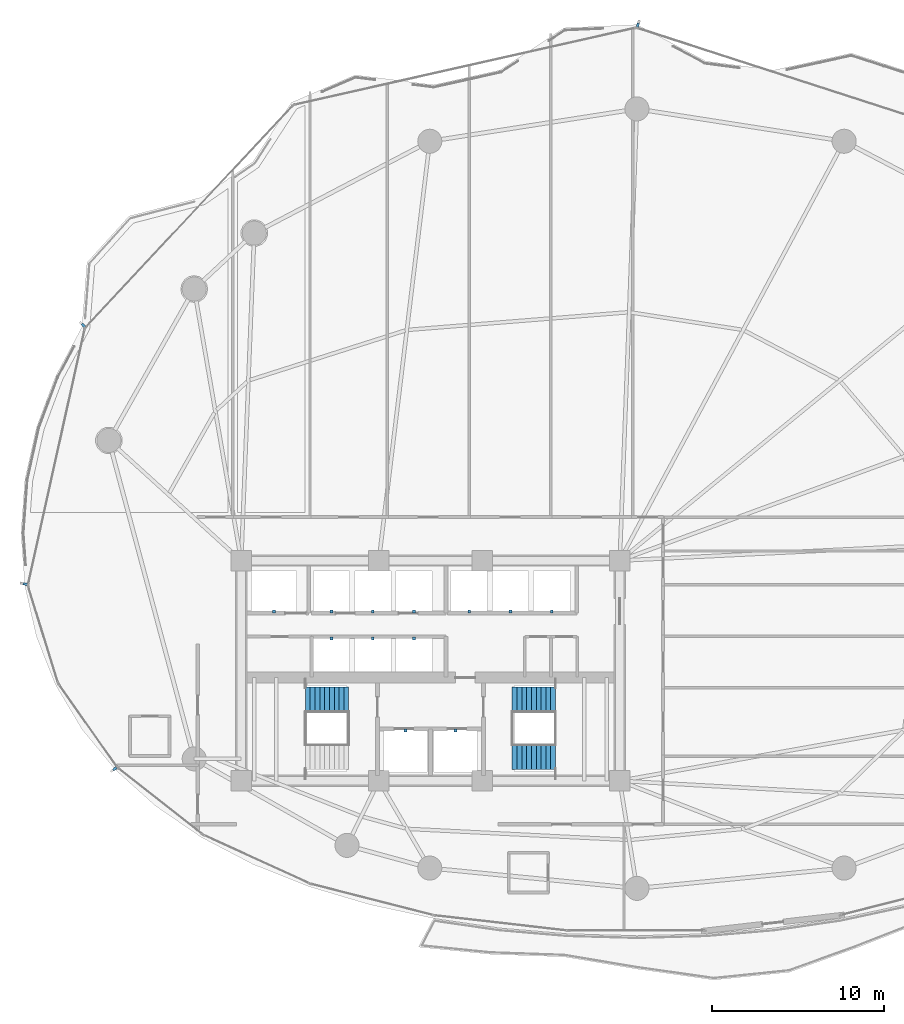
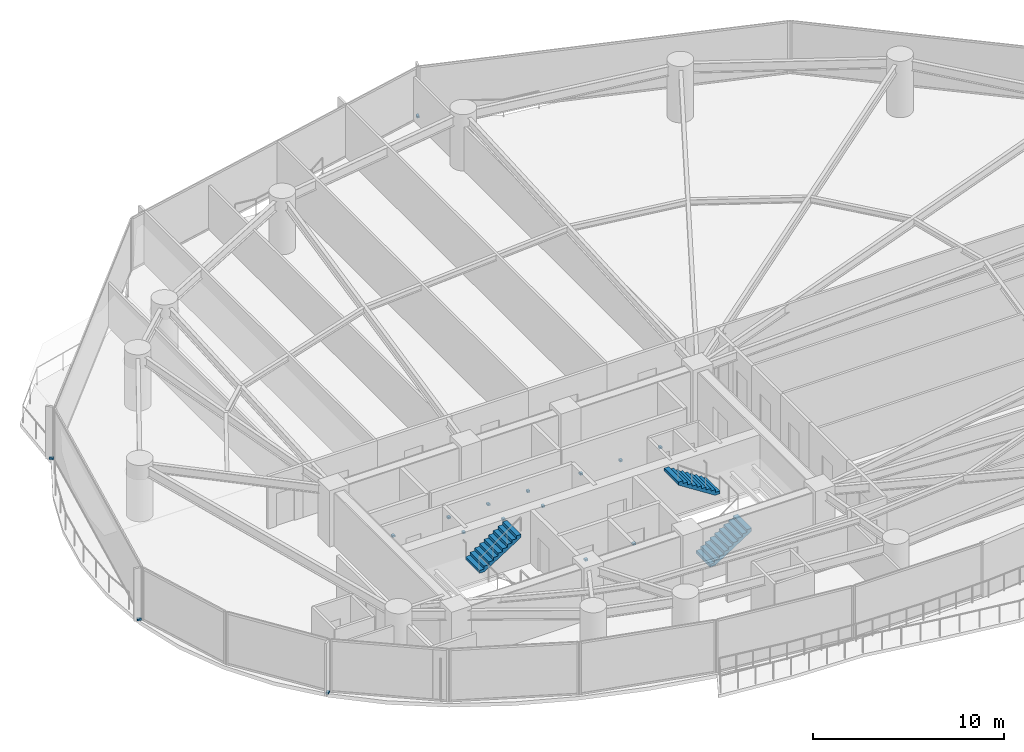
# One storey, part 28 of 33: 16 discrete accessories, 3 stair flights, 2 elements without a shape of their own.
"""IFC4 building model written with IfcOpenShell, lengths in metres."""

from ifc_helpers import new_model, si_unit, direction, frame, origin, origin_2d, place, context, subcontext, project, spatial, polyline, rectangle, outline, extrude, material, layer, layer_set, type_object, element, aggregate, save


model = new_model("IFC4")

# Units and contexts
model_context = context("Model", 3, precision=1e-05, world=origin(), true_north=direction((0.0, 1.0)))
body_context = subcontext(model_context, "Body", "Model", "MODEL_VIEW")
ifc_project = project(units=[si_unit("LENGTHUNIT", "METRE"), si_unit("AREAUNIT", "SQUARE_METRE"), si_unit("VOLUMEUNIT", "CUBIC_METRE"), si_unit("PLANEANGLEUNIT", "RADIAN"), si_unit("MASSUNIT", "GRAM", prefix="KILO")], contexts=[model_context])

# Site, building, storey
site_placement = place(None, origin())
site = spatial("IfcSite", under=ifc_project, at=site_placement, CompositionType="ELEMENT")
building_placement = place(site_placement, origin())
building = spatial("IfcBuilding", under=site, at=building_placement, Name="Kazevale Care Tower and Concert Hall", CompositionType="ELEMENT")
storey_placement = place(building_placement, frame((0.0, 0.0, 49.199951171875)))
storey = spatial("IfcBuildingStorey", under=building, at=storey_placement, Name="L12", CompositionType="ELEMENT", Elevation=49.199951171875)

# Stair, stair flight
ifc_material_1 = material(Name="Concrete C40", Category="concrete")
stair_type = type_object("IfcStairType", Name="Exit Stair Assembly ST1-Z1", PredefinedType="HALF_TURN_STAIR", material=ifc_material_1)
stair_1_placement = place(storey_placement, origin())
stair_1 = element("IfcStair", 1, at=stair_1_placement, inside=storey, type_object=stair_type, Name="stair:L12:ST1", PredefinedType="HALF_TURN_STAIR")
ifc_layer = layer(ifc_material_1, 0.159912109375)
ifc_layer_set = layer_set([ifc_layer], Name="Concrete C40")
stair_flight_type = type_object("IfcStairFlightType", Name="Exit Stair Flight ST1-Z1", PredefinedType="STRAIGHT", material=ifc_layer_set)
stair_flight_1_placement = place(storey_placement, frame((25.72998046875, 28.31005859375, 1.800048828125), z_axis=(0.0, 0.0, 1.0), x_axis=(1.0, 0.0, 0.0)))
stair_flight_1 = element("IfcStairFlight", 2, at=stair_flight_1_placement, type_object=stair_flight_type, Name="ST1-Z1 flight 2", NumberOfRisers=10, NumberOfTreads=9, PredefinedType="STRAIGHT", RiserHeight=0.18, TreadLength=0.28, context=body_context, shape_type="SweptSolid", body=[
    extrude(outline(polyline([(0.0, 0.0), (0.0, 0.179931640625), (0.280029296875, 0.179931640625), (0.280029296875, 0.360107421875), (0.56005859375, 0.360107421875), (0.56005859375, 0.5400390625), (0.840087890625, 0.5400390625), (0.840087890625, 0.719970703125), (1.1201171875, 0.719970703125), (1.1201171875, 0.89990234375), (1.39990234375, 0.89990234375), (1.39990234375, 1.080078125), (1.679931640625, 1.080078125), (1.679931640625, 1.260009765625), (1.9599609375, 1.260009765625), (1.9599609375, 1.43994140625), (2.239990234375, 1.43994140625), (2.239990234375, 1.6201171875), (2.52001953125, 1.6201171875), (2.52001953125, 1.800048828125), (2.52001953125, 1.429931640625), (0.295654296875, 0.0), (0.0, 0.0)])), frame((0.0, 0.739990234375, 0.0), z_axis=(0.0, -1.0, 0.0), x_axis=(1.0, 0.0, 0.0)), (0.0, 0.0, 1.0), 1.47998046875),
])
aggregate(stair_1, [stair_flight_1])

# Stair, stair flights
stair_2_placement = place(storey_placement, origin())
stair_2 = element("IfcStair", 3, at=stair_2_placement, inside=storey, type_object=stair_type, Name="stair:L12:ST2", PredefinedType="HALF_TURN_STAIR")
stair_flight_2_placement = place(storey_placement, frame((37.75, 24.989990234375, 0.0), z_axis=(0.0, 0.0, 1.0), x_axis=(1.0, 0.0, 0.0)))
stair_flight_2 = element("IfcStairFlight", 4, at=stair_flight_2_placement, type_object=stair_flight_type, Name="ST1-Z1 flight 1", NumberOfRisers=10, NumberOfTreads=9, PredefinedType="STRAIGHT", RiserHeight=0.18, TreadLength=0.28, context=body_context, shape_type="SweptSolid", body=[
    extrude(outline(polyline([(0.0, 0.0), (0.0, 0.179931640625), (0.280029296875, 0.179931640625), (0.280029296875, 0.360107421875), (0.56005859375, 0.360107421875), (0.56005859375, 0.5400390625), (0.840087890625, 0.5400390625), (0.840087890625, 0.719970703125), (1.1201171875, 0.719970703125), (1.1201171875, 0.89990234375), (1.39990234375, 0.89990234375), (1.39990234375, 1.080078125), (1.679931640625, 1.080078125), (1.679931640625, 1.260009765625), (1.9599609375, 1.260009765625), (1.9599609375, 1.43994140625), (2.239990234375, 1.43994140625), (2.239990234375, 1.6201171875), (2.52001953125, 1.6201171875), (2.52001953125, 1.800048828125), (2.52001953125, 1.429931640625), (0.295654296875, 0.0), (0.0, 0.0)])), frame((0.0, 0.739990234375, 0.0), z_axis=(0.0, -1.0, 0.0), x_axis=(1.0, 0.0, 0.0)), (0.0, 0.0, 1.0), 1.47998046875),
])
stair_flight_3_placement = place(storey_placement, frame((40.27001953125, 28.31005859375, 1.800048828125), z_axis=(0.0, 0.0, 1.0), x_axis=(-1.0, 0.0, 0.0)))
stair_flight_3 = element("IfcStairFlight", 5, at=stair_flight_3_placement, type_object=stair_flight_type, Name="ST1-Z1 flight 2", NumberOfRisers=10, NumberOfTreads=9, PredefinedType="STRAIGHT", RiserHeight=0.18, TreadLength=0.28, context=body_context, shape_type="SweptSolid", body=[
    extrude(outline(polyline([(0.0, 0.0), (0.0, 0.179931640625), (0.280029296875, 0.179931640625), (0.280029296875, 0.360107421875), (0.56005859375, 0.360107421875), (0.56005859375, 0.5400390625), (0.840087890625, 0.5400390625), (0.840087890625, 0.719970703125), (1.1201171875, 0.719970703125), (1.1201171875, 0.89990234375), (1.39990234375, 0.89990234375), (1.39990234375, 1.080078125), (1.679931640625, 1.080078125), (1.679931640625, 1.260009765625), (1.9599609375, 1.260009765625), (1.9599609375, 1.43994140625), (2.239990234375, 1.43994140625), (2.239990234375, 1.6201171875), (2.52001953125, 1.6201171875), (2.52001953125, 1.800048828125), (2.52001953125, 1.429931640625), (0.295654296875, 0.0), (0.0, 0.0)])), frame((0.0, 0.739990234375, 0.0), z_axis=(0.0, -1.0, 0.0), x_axis=(1.0, 0.0, 0.0)), (0.0, 0.0, 1.0), 1.47998046875),
])
aggregate(stair_2, [stair_flight_2, stair_flight_3])

# Discrete accessories
ifc_material_2 = material(Name="Stainless Steel 316", Category="steel")
discrete_accessory_type_1 = type_object("IfcDiscreteAccessoryType", Name="Facade Fin Stainless Anchor Bracket BRK-1", PredefinedType="BRACKET", material=ifc_material_2)
for number, where, z_axis, x_axis, name in (
    (6, (14.656005859375, 24.298828125, 0.0), (0.0, 0.0, 1.0), (-0.817547124842, -0.575861700985, 0.0), "cw:L12:f11:brk"),
    (7, (9.44677734375, 35.03369140625, 0.0), (0.0, 0.0, 1.0), (-0.97629600712, 0.216439613938, 0.0), "cw:L12:f13:brk"),
    (8, (12.8251953125, 50.068359375, 0.0), (0.0, 0.0, 1.0), (-0.730400739673, 0.683018857343, 0.0), "cw:L12:f14:brk"),
    (9, (45.04931640625, 67.517333984375, 0.0), (0.0, 0.0, 1.0), (0.30785482931, 0.951433341896, 0.0), "cw:L12:f16:brk"),
):
    element("IfcDiscreteAccessory", number, at=place(storey_placement, frame(where, z_axis=z_axis, x_axis=x_axis)), inside=storey, type_object=discrete_accessory_type_1, Name=name, PredefinedType="BRACKET", context=body_context, shape_type="SweptSolid", body=[
        extrude(rectangle(XDim=0.239990234375, YDim=0.139892578125, at=origin_2d()), origin(), (0.0, 0.0, 1.0), 0.1201171875),
    ])
discrete_accessory_type_2 = type_object("IfcDiscreteAccessoryType", Name="Hoistway Guide-Rail Wall Bracket HBRK-1", PredefinedType="BRACKET", material=ifc_material_2)
for number, where, z_axis, x_axis, name in (
    (10, (31.550048828125, 26.52001953125, 1.239990234375), (0.0, 0.0, 1.0), (1.0, 0.0, 0.0), "hbrk:FFL-1:L12"),
    (11, (34.449951171875, 26.52001953125, 1.239990234375), (0.0, 0.0, 1.0), (1.0, 0.0, 0.0), "hbrk:FFL-2:L12"),
    (12, (23.89990234375, 33.449951171875, 1.239990234375), (0.0, 0.0, 1.0), (1.0, 0.0, 0.0), "hbrk:SVL-1:L12"),
    (13, (27.25, 33.449951171875, 1.239990234375), (0.0, 0.0, 1.0), (1.0, 0.0, 0.0), "hbrk:PL-1:L12"),
    (14, (29.64990234375, 33.449951171875, 1.239990234375), (0.0, 0.0, 1.0), (1.0, 0.0, 0.0), "hbrk:PL-2:L12"),
    (15, (32.050048828125, 33.449951171875, 1.239990234375), (0.0, 0.0, 1.0), (1.0, 0.0, 0.0), "hbrk:PL-3:L12"),
    (16, (35.25, 33.449951171875, 1.239990234375), (0.0, 0.0, 1.0), (1.0, 0.0, 0.0), "hbrk:PM-1:L12"),
    (17, (37.64990234375, 33.449951171875, 1.239990234375), (0.0, 0.0, 1.0), (1.0, 0.0, 0.0), "hbrk:PM-2:L12"),
    (18, (40.050048828125, 33.449951171875, 1.239990234375), (0.0, 0.0, 1.0), (1.0, 0.0, 0.0), "hbrk:PM-3:L12"),
    (19, (27.25, 31.8798828125, 1.239990234375), (0.0, 0.0, 1.0), (1.0, 0.0, 0.0), "hbrk:PH-1:L12"),
    (20, (29.64990234375, 31.8798828125, 1.239990234375), (0.0, 0.0, 1.0), (1.0, 0.0, 0.0), "hbrk:PH-2:L12"),
    (21, (32.050048828125, 31.8798828125, 1.239990234375), (0.0, 0.0, 1.0), (1.0, 0.0, 0.0), "hbrk:PH-3:L12"),
):
    element("IfcDiscreteAccessory", number, at=place(storey_placement, frame(where, z_axis=z_axis, x_axis=x_axis)), inside=storey, type_object=discrete_accessory_type_2, Name=name, PredefinedType="BRACKET", context=body_context, shape_type="SweptSolid", body=[
        extrude(rectangle(XDim=0.159912109375, YDim=0.179931640625, at=origin_2d()), origin(), (0.0, 0.0, 1.0), 0.1201171875),
    ])

save(model, "model.ifc")
